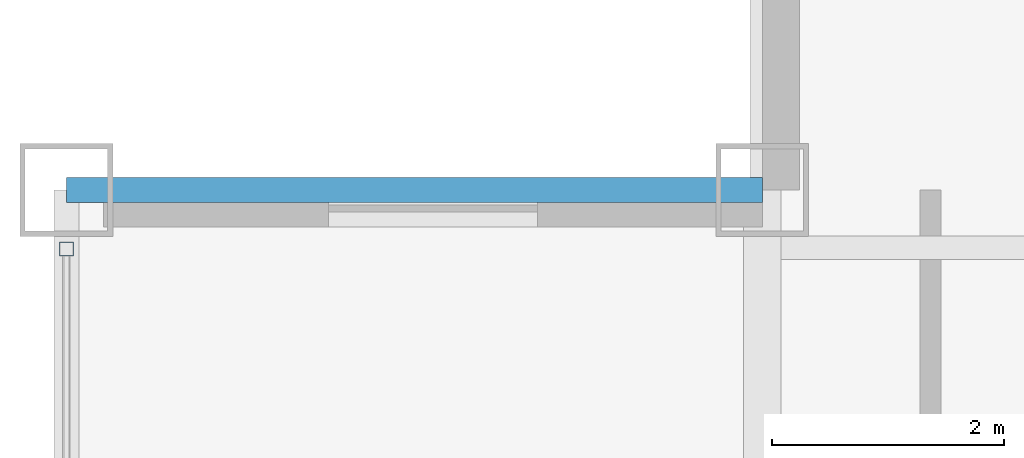
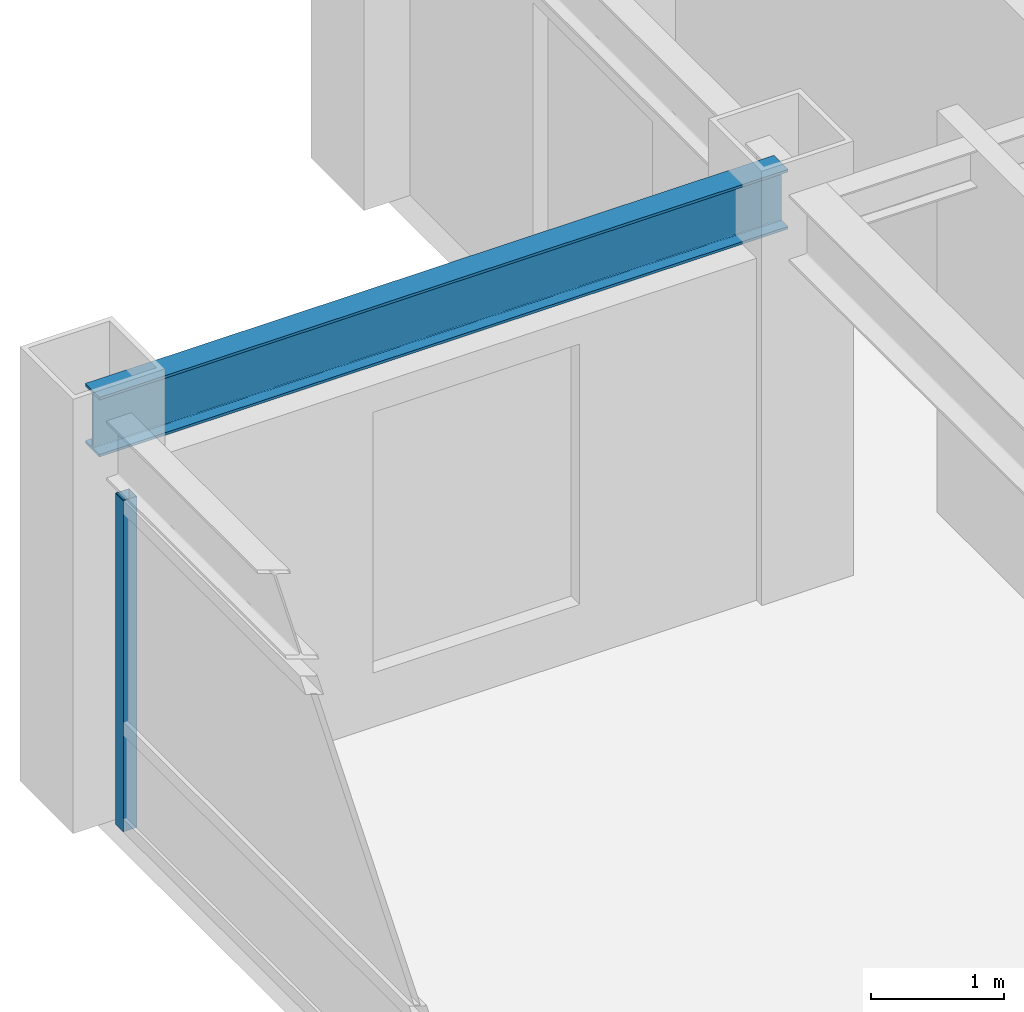
# One storey, part 14 of 32: 1 beam, 1 member, 1 element without a shape of its own.
"""IFC4 building model written with IfcOpenShell, lengths in metres."""

from ifc_helpers import new_model, si_unit, direction, frame, origin, origin_2d, place, context, subcontext, project, spatial, hollow_rectangle, i_section, extrude, source, transform, mapped, material, material_profile, profile_set, type_object, element, aggregate, save


model = new_model("IFC4")

# Units and contexts
model_context = context("Model", 3, precision=1e-05, world=origin(), true_north=direction((0.0, 1.0)))
body_context = subcontext(model_context, "Body", "Model", "MODEL_VIEW")
ifc_project = project(units=[si_unit("LENGTHUNIT", "METRE"), si_unit("AREAUNIT", "SQUARE_METRE"), si_unit("VOLUMEUNIT", "CUBIC_METRE"), si_unit("PLANEANGLEUNIT", "RADIAN"), si_unit("MASSUNIT", "GRAM", prefix="KILO")], contexts=[model_context])

# Site, building, storey
site_placement = place(None, origin())
site = spatial("IfcSite", under=ifc_project, at=site_placement, CompositionType="ELEMENT")
building_placement = place(site_placement, origin())
building = spatial("IfcBuilding", under=site, at=building_placement, Name="Khorayat Bourse Tower", CompositionType="ELEMENT")
storey_placement = place(building_placement, frame((0.0, 0.0, 342.300048828125)))
storey = spatial("IfcBuildingStorey", under=building, at=storey_placement, Name="L81", CompositionType="ELEMENT", Elevation=342.300048828125)

# Beam
ifc_material_1 = material(Name="Steel ASTM A992 Grade 50", Category="steel")
ifc_material_profile_1 = material_profile(ifc_material_1, i_section(OverallWidth=0.214111328125, OverallDepth=0.549072265625, WebThickness=0.0146484375, FlangeThickness=0.023681640625, FilletRadius=0.013916015625, at=origin_2d()), Name="W530X138")
ifc_profile_set_1 = profile_set([ifc_material_profile_1], Name="Steel ASTM A992 Grade 50")
beam_type = type_object("IfcBeamType", Name="BM-SPAN-530", PredefinedType="SPANDREL", material=ifc_profile_set_1)
shared_shape_1 = source(origin(), body_context, "Body", "SweptSolid", [
    extrude(i_section(OverallWidth=0.214111328125, OverallDepth=0.549072265625, WebThickness=0.0146484375, FlangeThickness=0.023681640625, FilletRadius=0.013916015625, at=origin_2d()), origin(), (0.0, 0.0, 1.0), 6.0),
])
beam_placement = place(storey_placement, frame((-26.0, 20.0, 3.425537109375), z_axis=(1.0, 0.0, 0.0), x_axis=(0.0, 1.0, 0.0)))
element("IfcBeam", 1, at=beam_placement, inside=storey, type_object=beam_type, Name="L81 BM-SPAN-530 BM-L81-SPN-044", PredefinedType="SPANDREL", context=body_context, shape_type="MappedRepresentation", body=[
    mapped(shared_shape_1, transform((0.0, 0.0, 0.0), scale=1.0)),
])

# Curtain wall, member
ifc_material_2 = material(Name="Aluminium EN AW-6063 T6", Category="aluminium")
curtain_wall_type = type_object("IfcCurtainWallType", Name="CW-SYS-04", PredefinedType="NOTDEFINED", material=ifc_material_2)
curtain_wall_placement = place(storey_placement, origin())
curtain_wall = element("IfcCurtainWall", 2, at=curtain_wall_placement, inside=storey, type_object=curtain_wall_type, Name="L81 Curtain Wall CW-L81-W1", PredefinedType="NOTDEFINED")
ifc_material_profile_2 = material_profile(ifc_material_2, hollow_rectangle(XDim=0.1201171875, YDim=0.1201171875, WallThickness=0.0048828125, at=origin_2d()), Name="ALU 120x120x5")
ifc_profile_set_2 = profile_set([ifc_material_profile_2], Name="Aluminium EN AW-6063 T6")
member_type = type_object("IfcMemberType", Name="CWM-VERT-120", PredefinedType="MULLION", material=ifc_profile_set_2)
shared_shape_2 = source(origin(), body_context, "Body", "SweptSolid", [
    extrude(hollow_rectangle(XDim=0.1201171875, YDim=0.1201171875, WallThickness=0.0048828125, at=origin_2d()), origin(), (0.0, 0.0, 1.0), 3.050048828125),
])
member_placement = place(storey_placement, frame((-26.0, 19.489990234375, 0.0), z_axis=(0.0, 0.0, 1.0), x_axis=(-1.0, 0.0, 0.0)))
member = element("IfcMember", 3, at=member_placement, type_object=member_type, Name="CW-L81-W1 Vertical Mullion 3", PredefinedType="MULLION", context=body_context, shape_type="MappedRepresentation", body=[
    mapped(shared_shape_2, transform((0.0, 0.0, 0.0), scale=1.0)),
])
aggregate(curtain_wall, [member])

save(model, "model.ifc")
